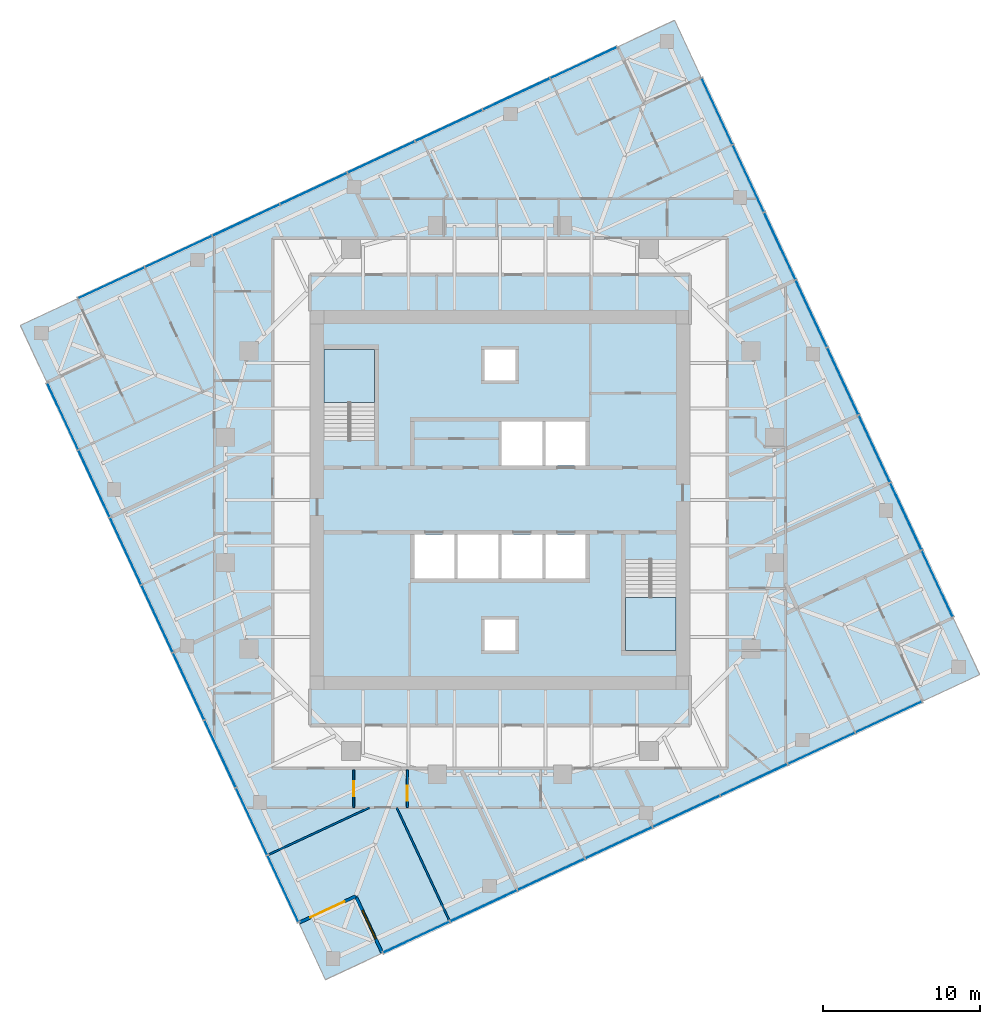
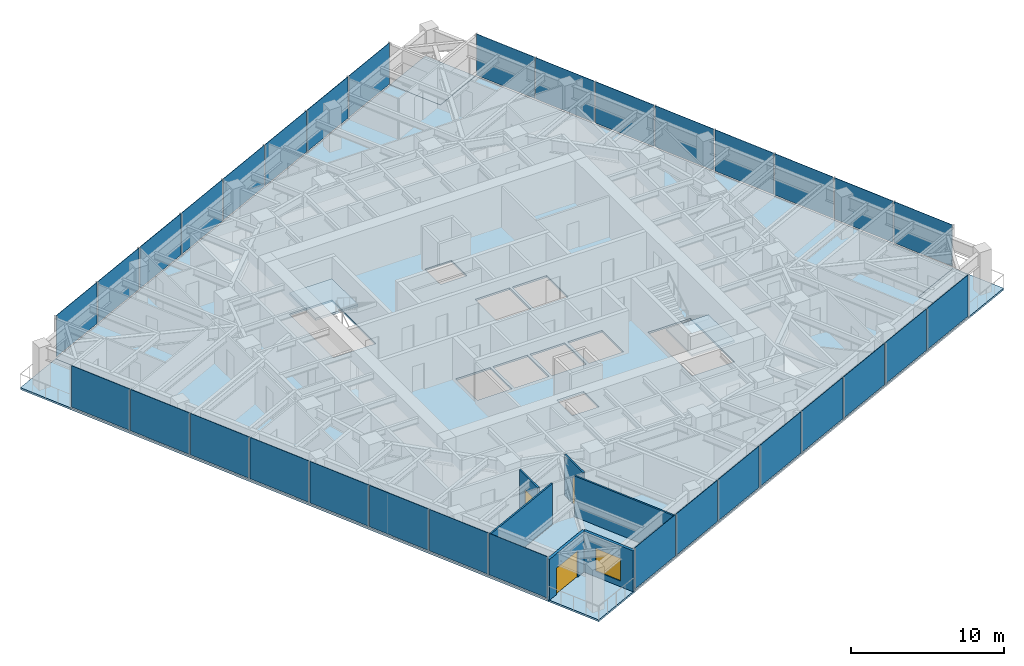
# One storey, part 6 of 13: 32 plates, 7 slabs, 6 walls, 3 doors, 1 window, 4 openings, 6 elements without a shape of their own.
"""IFC4 building model written with IfcOpenShell, lengths in metres."""

from ifc_helpers import new_model, si_unit, direction, frame, frame_2d, origin, origin_2d, place, context, subcontext, project, spatial, polyline, rectangle, outline, extrude, material, layer, layer_set, type_object, element, fill, aggregate, save


model = new_model("IFC4")

# Units and contexts
model_context = context("Model", 3, precision=1e-05, world=origin(), true_north=direction((0.0, 1.0)))
body_context = subcontext(model_context, "Body", "Model", "MODEL_VIEW")
ifc_project = project(units=[si_unit("LENGTHUNIT", "METRE"), si_unit("AREAUNIT", "SQUARE_METRE"), si_unit("VOLUMEUNIT", "CUBIC_METRE"), si_unit("PLANEANGLEUNIT", "RADIAN"), si_unit("MASSUNIT", "GRAM", prefix="KILO")], contexts=[model_context])

# Site, building, storey
site_placement = place(None, origin())
site = spatial("IfcSite", under=ifc_project, at=site_placement, CompositionType="ELEMENT")
building_placement = place(site_placement, origin())
building = spatial("IfcBuilding", under=site, at=building_placement, Name="Torsade Residences", CompositionType="ELEMENT")
storey_placement = place(building_placement, frame((0.0, 0.0, 196.39990234375)))
storey = spatial("IfcBuildingStorey", under=building, at=storey_placement, Name="L54", CompositionType="ELEMENT", Elevation=196.39990234375)

# Slab
ifc_material_1 = material(Name="Concrete 40 MPa", Category="concrete")
ifc_layer_1 = layer(ifc_material_1, 0.14990234375)
ifc_layer_set_1 = layer_set([ifc_layer_1], Name="Concrete 40 MPa")
slab_type_1 = type_object("IfcSlabType", Name="COMPOSITE FLOOR SLAB 150", PredefinedType="FLOOR", material=ifc_layer_set_1)
slab_1_placement = place(storey_placement, frame((0.0, 0.0, -0.14990234375)))
element("IfcSlab", 1, at=slab_1_placement, inside=storey, type_object=slab_type_1, Name="Floor slab L54", PredefinedType="FLOOR", context=body_context, shape_type="SweptSolid", body=[
    extrude(outline(polyline([(32.50048828125, 1.125244140625), (66.940185546875, 17.1845703125), (65.24951171875, 20.809814453125), (68.874755859375, 22.50048828125), (52.8154296875, 56.940185546875), (49.190185546875, 55.24951171875), (47.49951171875, 58.874755859375), (13.059814453125, 42.8154296875), (14.75048828125, 39.190185546875), (11.125244140625, 37.49951171875), (27.1845703125, 3.059814453125), (30.809814453125, 4.75048828125), (32.50048828125, 1.125244140625)]), holes=[polyline([(51.199951171875, 26.1201171875), (48.0, 26.1201171875), (48.0, 20.39990234375), (51.199951171875, 20.39990234375), (51.199951171875, 26.1201171875)]), polyline([(45.5, 27.800048828125), (42.89990234375, 27.800048828125), (42.89990234375, 25.0), (45.5, 25.0), (45.5, 27.800048828125)]), polyline([(45.5, 35.0), (42.89990234375, 35.0), (42.89990234375, 32.199951171875), (45.5, 32.199951171875), (45.5, 35.0)]), polyline([(42.699951171875, 25.0), (42.699951171875, 27.800048828125), (40.10009765625, 27.800048828125), (40.10009765625, 25.0), (42.699951171875, 25.0)]), polyline([(42.699951171875, 35.0), (40.10009765625, 35.0), (40.10009765625, 32.199951171875), (42.699951171875, 32.199951171875), (42.699951171875, 35.0)]), polyline([(41.0, 22.39990234375), (39.0, 22.39990234375), (39.0, 20.39990234375), (41.0, 20.39990234375), (41.0, 22.39990234375)]), polyline([(41.0, 37.60009765625), (41.0, 39.60009765625), (39.0, 39.60009765625), (39.0, 37.60009765625), (41.0, 37.60009765625)]), polyline([(39.89990234375, 25.0), (39.89990234375, 27.800048828125), (37.300048828125, 27.800048828125), (37.300048828125, 25.0), (39.89990234375, 25.0)]), polyline([(37.10009765625, 27.800048828125), (34.5, 27.800048828125), (34.5, 25.0), (37.10009765625, 25.0), (37.10009765625, 27.800048828125)]), polyline([(32.0, 33.8798828125), (32.0, 39.60009765625), (28.800048828125, 39.60009765625), (28.800048828125, 33.8798828125), (32.0, 33.8798828125)])]), origin(), (0.0, 0.0, 1.0), 0.14990234375),
])

# Curtain wall, plates
ifc_material_2 = material(Name="Aluminium and glass", Category="aluminium")
curtain_wall_type = type_object("IfcCurtainWallType", Name="FRITTED GLASS CURTAIN WALL MID ZONE", PredefinedType="NOTDEFINED", material=ifc_material_2)
curtain_wall_1_placement = place(storey_placement, origin())
curtain_wall_1 = element("IfcCurtainWall", 2, at=curtain_wall_1_placement, inside=storey, type_object=curtain_wall_type, Name="Curtain wall L54 face 1", PredefinedType="NOTDEFINED")
ifc_material_3 = material(Name="Laminated glass", Category="glass")
ifc_layer_2 = layer(ifc_material_3, 0.031982421875)
ifc_layer_set_2 = layer_set([ifc_layer_2], Name="Laminated glass")
plate_type_1 = type_object("IfcPlateType", Name="FRITTED GLASS PANEL", PredefinedType="CURTAIN_PANEL", material=ifc_layer_set_2)
plate_1_placement = place(storey_placement, frame((34.6708984375, 2.137451171875, 0.110107421875), z_axis=(0.0, 0.0, 1.0), x_axis=(0.906307786926, 0.422618261978, 0.0)))
plate_1 = element("IfcPlate", 3, at=plate_1_placement, type_object=plate_type_1, Name="Panel 1", PredefinedType="CURTAIN_PANEL", context=body_context, shape_type="SweptSolid", body=[
    extrude(rectangle(XDim=4.6298828125, YDim=0.031982421875, at=origin_2d()), origin(), (0.0, 0.0, 1.0), 3.2900390625),
])
plate_2_placement = place(storey_placement, frame((43.2626953125, 6.143798828125, 0.110107421875), z_axis=(0.0, 0.0, 1.0), x_axis=(0.906307786926, 0.422618261978, 0.0)))
plate_2 = element("IfcPlate", 4, at=plate_2_placement, type_object=plate_type_1, Name="Panel 3", PredefinedType="CURTAIN_PANEL", context=body_context, shape_type="SweptSolid", body=[
    extrude(rectangle(XDim=4.669921875, YDim=0.031982421875, at=origin_2d()), origin(), (0.0, 0.0, 1.0), 3.2900390625),
])
plate_3_placement = place(storey_placement, frame((47.567626953125, 8.151123046875, 0.110107421875), z_axis=(0.0, 0.0, 1.0), x_axis=(0.906307786926, 0.422618261978, 0.0)))
plate_3 = element("IfcPlate", 5, at=plate_3_placement, type_object=plate_type_1, Name="Panel 4", PredefinedType="CURTAIN_PANEL", context=body_context, shape_type="SweptSolid", body=[
    extrude(rectangle(XDim=4.669921875, YDim=0.031982421875, at=origin_2d()), origin(), (0.0, 0.0, 1.0), 3.2900390625),
])
plate_4_placement = place(storey_placement, frame((51.872802734375, 10.15869140625, 0.110107421875), z_axis=(0.0, 0.0, 1.0), x_axis=(0.906307786926, 0.422618261978, 0.0)))
plate_4 = element("IfcPlate", 6, at=plate_4_placement, type_object=plate_type_1, Name="Panel 5", PredefinedType="CURTAIN_PANEL", context=body_context, shape_type="SweptSolid", body=[
    extrude(rectangle(XDim=4.669921875, YDim=0.031982421875, at=origin_2d()), origin(), (0.0, 0.0, 1.0), 3.2900390625),
])
plate_5_placement = place(storey_placement, frame((60.482666015625, 14.173583984375, 0.110107421875), z_axis=(0.0, 0.0, 1.0), x_axis=(0.906307786926, 0.422618261978, 0.0)))
plate_5 = element("IfcPlate", 7, at=plate_5_placement, type_object=plate_type_1, Name="Panel 7", PredefinedType="CURTAIN_PANEL", context=body_context, shape_type="SweptSolid", body=[
    extrude(rectangle(XDim=4.669921875, YDim=0.031982421875, at=origin_2d()), origin(), (0.0, 0.0, 1.0), 3.2900390625),
])
plate_6_placement = place(storey_placement, frame((64.76953125, 16.172607421875, 0.110107421875), z_axis=(0.0, 0.0, 1.0), x_axis=(0.906307786926, 0.422618261978, 0.0)))
plate_6 = element("IfcPlate", 8, at=plate_6_placement, type_object=plate_type_1, Name="Panel 8", PredefinedType="CURTAIN_PANEL", context=body_context, shape_type="SweptSolid", body=[
    extrude(rectangle(XDim=4.6298828125, YDim=0.031982421875, at=origin_2d()), origin(), (0.0, 0.0, 1.0), 3.2900390625),
])

curtain_wall_2_placement = place(storey_placement, origin())
curtain_wall_2 = element("IfcCurtainWall", 9, at=curtain_wall_2_placement, inside=storey, type_object=curtain_wall_type, Name="Curtain wall L54 face 4", PredefinedType="NOTDEFINED")
plate_7_placement = place(storey_placement, frame((67.862548828125, 24.6708984375, 0.110107421875), z_axis=(0.0, 0.0, 1.0), x_axis=(-0.422618261978, 0.906307786926, 0.0)))
plate_7 = element("IfcPlate", 10, at=plate_7_placement, type_object=plate_type_1, Name="Panel 1", PredefinedType="CURTAIN_PANEL", context=body_context, shape_type="SweptSolid", body=[
    extrude(rectangle(XDim=4.6298828125, YDim=0.031982421875, at=origin_2d()), origin(), (0.0, 0.0, 1.0), 3.2900390625),
])
plate_8_placement = place(storey_placement, frame((63.856201171875, 33.2626953125, 0.110107421875), z_axis=(0.0, 0.0, 1.0), x_axis=(-0.422618261978, 0.906307786926, 0.0)))
plate_8 = element("IfcPlate", 11, at=plate_8_placement, type_object=plate_type_1, Name="Panel 3", PredefinedType="CURTAIN_PANEL", context=body_context, shape_type="SweptSolid", body=[
    extrude(rectangle(XDim=4.669921875, YDim=0.031982421875, at=origin_2d()), origin(), (0.0, 0.0, 1.0), 3.2900390625),
])
plate_9_placement = place(storey_placement, frame((61.848876953125, 37.567626953125, 0.110107421875), z_axis=(0.0, 0.0, 1.0), x_axis=(-0.422618261978, 0.906307786926, 0.0)))
plate_9 = element("IfcPlate", 12, at=plate_9_placement, type_object=plate_type_1, Name="Panel 4", PredefinedType="CURTAIN_PANEL", context=body_context, shape_type="SweptSolid", body=[
    extrude(rectangle(XDim=4.669921875, YDim=0.031982421875, at=origin_2d()), origin(), (0.0, 0.0, 1.0), 3.2900390625),
])
plate_10_placement = place(storey_placement, frame((59.84130859375, 41.872802734375, 0.110107421875), z_axis=(0.0, 0.0, 1.0), x_axis=(-0.422618261978, 0.906307786926, 0.0)))
plate_10 = element("IfcPlate", 13, at=plate_10_placement, type_object=plate_type_1, Name="Panel 5", PredefinedType="CURTAIN_PANEL", context=body_context, shape_type="SweptSolid", body=[
    extrude(rectangle(XDim=4.669921875, YDim=0.031982421875, at=origin_2d()), origin(), (0.0, 0.0, 1.0), 3.2900390625),
])
plate_11_placement = place(storey_placement, frame((55.826416015625, 50.482666015625, 0.110107421875), z_axis=(0.0, 0.0, 1.0), x_axis=(-0.422618261978, 0.906307786926, 0.0)))
plate_11 = element("IfcPlate", 14, at=plate_11_placement, type_object=plate_type_1, Name="Panel 7", PredefinedType="CURTAIN_PANEL", context=body_context, shape_type="SweptSolid", body=[
    extrude(rectangle(XDim=4.669921875, YDim=0.031982421875, at=origin_2d()), origin(), (0.0, 0.0, 1.0), 3.2900390625),
])
plate_12_placement = place(storey_placement, frame((53.827392578125, 54.76953125, 0.110107421875), z_axis=(0.0, 0.0, 1.0), x_axis=(-0.422618261978, 0.906307786926, 0.0)))
plate_12 = element("IfcPlate", 15, at=plate_12_placement, type_object=plate_type_1, Name="Panel 8", PredefinedType="CURTAIN_PANEL", context=body_context, shape_type="SweptSolid", body=[
    extrude(rectangle(XDim=4.6298828125, YDim=0.031982421875, at=origin_2d()), origin(), (0.0, 0.0, 1.0), 3.2900390625),
])

curtain_wall_3_placement = place(storey_placement, origin())
curtain_wall_3 = element("IfcCurtainWall", 16, at=curtain_wall_3_placement, inside=storey, type_object=curtain_wall_type, Name="Curtain wall L54 face 7", PredefinedType="NOTDEFINED")
plate_13_placement = place(storey_placement, frame((45.3291015625, 57.862548828125, 0.110107421875), z_axis=(0.0, 0.0, 1.0), x_axis=(-0.906307786926, -0.422618261978, 0.0)))
plate_13 = element("IfcPlate", 17, at=plate_13_placement, type_object=plate_type_1, Name="Panel 1", PredefinedType="CURTAIN_PANEL", context=body_context, shape_type="SweptSolid", body=[
    extrude(rectangle(XDim=4.6298828125, YDim=0.031982421875, at=origin_2d()), origin(), (0.0, 0.0, 1.0), 3.2900390625),
])
plate_14_placement = place(storey_placement, frame((36.7373046875, 53.856201171875, 0.110107421875), z_axis=(0.0, 0.0, 1.0), x_axis=(-0.906307786926, -0.422618261978, 0.0)))
plate_14 = element("IfcPlate", 18, at=plate_14_placement, type_object=plate_type_1, Name="Panel 3", PredefinedType="CURTAIN_PANEL", context=body_context, shape_type="SweptSolid", body=[
    extrude(rectangle(XDim=4.669921875, YDim=0.031982421875, at=origin_2d()), origin(), (0.0, 0.0, 1.0), 3.2900390625),
])
plate_15_placement = place(storey_placement, frame((32.432373046875, 51.848876953125, 0.110107421875), z_axis=(0.0, 0.0, 1.0), x_axis=(-0.906307786926, -0.422618261978, 0.0)))
plate_15 = element("IfcPlate", 19, at=plate_15_placement, type_object=plate_type_1, Name="Panel 4", PredefinedType="CURTAIN_PANEL", context=body_context, shape_type="SweptSolid", body=[
    extrude(rectangle(XDim=4.669921875, YDim=0.031982421875, at=origin_2d()), origin(), (0.0, 0.0, 1.0), 3.2900390625),
])
plate_16_placement = place(storey_placement, frame((28.127197265625, 49.84130859375, 0.110107421875), z_axis=(0.0, 0.0, 1.0), x_axis=(-0.906307786926, -0.422618261978, 0.0)))
plate_16 = element("IfcPlate", 20, at=plate_16_placement, type_object=plate_type_1, Name="Panel 5", PredefinedType="CURTAIN_PANEL", context=body_context, shape_type="SweptSolid", body=[
    extrude(rectangle(XDim=4.669921875, YDim=0.031982421875, at=origin_2d()), origin(), (0.0, 0.0, 1.0), 3.2900390625),
])
plate_17_placement = place(storey_placement, frame((19.517333984375, 45.826416015625, 0.110107421875), z_axis=(0.0, 0.0, 1.0), x_axis=(-0.906307786926, -0.422618261978, 0.0)))
plate_17 = element("IfcPlate", 21, at=plate_17_placement, type_object=plate_type_1, Name="Panel 7", PredefinedType="CURTAIN_PANEL", context=body_context, shape_type="SweptSolid", body=[
    extrude(rectangle(XDim=4.669921875, YDim=0.031982421875, at=origin_2d()), origin(), (0.0, 0.0, 1.0), 3.2900390625),
])
plate_18_placement = place(storey_placement, frame((15.23046875, 43.827392578125, 0.110107421875), z_axis=(0.0, 0.0, 1.0), x_axis=(-0.906307786926, -0.422618261978, 0.0)))
plate_18 = element("IfcPlate", 22, at=plate_18_placement, type_object=plate_type_1, Name="Panel 8", PredefinedType="CURTAIN_PANEL", context=body_context, shape_type="SweptSolid", body=[
    extrude(rectangle(XDim=4.6298828125, YDim=0.031982421875, at=origin_2d()), origin(), (0.0, 0.0, 1.0), 3.2900390625),
])

curtain_wall_4_placement = place(storey_placement, origin())
curtain_wall_4 = element("IfcCurtainWall", 23, at=curtain_wall_4_placement, inside=storey, type_object=curtain_wall_type, Name="Curtain wall L54 face 10", PredefinedType="NOTDEFINED")
plate_19_placement = place(storey_placement, frame((12.137451171875, 35.3291015625, 0.110107421875), z_axis=(0.0, 0.0, 1.0), x_axis=(0.422618261978, -0.906307786926, 0.0)))
plate_19 = element("IfcPlate", 24, at=plate_19_placement, type_object=plate_type_1, Name="Panel 1", PredefinedType="CURTAIN_PANEL", context=body_context, shape_type="SweptSolid", body=[
    extrude(rectangle(XDim=4.6298828125, YDim=0.031982421875, at=origin_2d()), origin(), (0.0, 0.0, 1.0), 3.2900390625),
])
plate_20_placement = place(storey_placement, frame((16.143798828125, 26.7373046875, 0.110107421875), z_axis=(0.0, 0.0, 1.0), x_axis=(0.422618261978, -0.906307786926, 0.0)))
plate_20 = element("IfcPlate", 25, at=plate_20_placement, type_object=plate_type_1, Name="Panel 3", PredefinedType="CURTAIN_PANEL", context=body_context, shape_type="SweptSolid", body=[
    extrude(rectangle(XDim=4.669921875, YDim=0.031982421875, at=origin_2d()), origin(), (0.0, 0.0, 1.0), 3.2900390625),
])
plate_21_placement = place(storey_placement, frame((18.151123046875, 22.432373046875, 0.110107421875), z_axis=(0.0, 0.0, 1.0), x_axis=(0.422618261978, -0.906307786926, 0.0)))
plate_21 = element("IfcPlate", 26, at=plate_21_placement, type_object=plate_type_1, Name="Panel 4", PredefinedType="CURTAIN_PANEL", context=body_context, shape_type="SweptSolid", body=[
    extrude(rectangle(XDim=4.669921875, YDim=0.031982421875, at=origin_2d()), origin(), (0.0, 0.0, 1.0), 3.2900390625),
])
plate_22_placement = place(storey_placement, frame((20.15869140625, 18.127197265625, 0.110107421875), z_axis=(0.0, 0.0, 1.0), x_axis=(0.422618261978, -0.906307786926, 0.0)))
plate_22 = element("IfcPlate", 27, at=plate_22_placement, type_object=plate_type_1, Name="Panel 5", PredefinedType="CURTAIN_PANEL", context=body_context, shape_type="SweptSolid", body=[
    extrude(rectangle(XDim=4.669921875, YDim=0.031982421875, at=origin_2d()), origin(), (0.0, 0.0, 1.0), 3.2900390625),
])
plate_23_placement = place(storey_placement, frame((24.173583984375, 9.517333984375, 0.110107421875), z_axis=(0.0, 0.0, 1.0), x_axis=(0.422618261978, -0.906307786926, 0.0)))
plate_23 = element("IfcPlate", 28, at=plate_23_placement, type_object=plate_type_1, Name="Panel 7", PredefinedType="CURTAIN_PANEL", context=body_context, shape_type="SweptSolid", body=[
    extrude(rectangle(XDim=4.669921875, YDim=0.031982421875, at=origin_2d()), origin(), (0.0, 0.0, 1.0), 3.2900390625),
])
plate_24_placement = place(storey_placement, frame((26.172607421875, 5.23046875, 0.110107421875), z_axis=(0.0, 0.0, 1.0), x_axis=(0.422618261978, -0.906307786926, 0.0)))
plate_24 = element("IfcPlate", 29, at=plate_24_placement, type_object=plate_type_1, Name="Panel 8", PredefinedType="CURTAIN_PANEL", context=body_context, shape_type="SweptSolid", body=[
    extrude(rectangle(XDim=4.6298828125, YDim=0.031982421875, at=origin_2d()), origin(), (0.0, 0.0, 1.0), 3.2900390625),
])

# Plate
ifc_material_4 = material(Name="Laminated glass", Category="glass")
ifc_layer_3 = layer(ifc_material_4, 0.0400390625)
ifc_layer_set_3 = layer_set([ifc_layer_3], Name="Laminated glass")
plate_type_2 = type_object("IfcPlateType", Name="OPERABLE VENT PANEL", PredefinedType="CURTAIN_PANEL", material=ifc_layer_set_3)
plate_25_placement = place(storey_placement, frame((38.957763671875, 4.13623046875, 0.110107421875), z_axis=(0.0, 0.0, 1.0), x_axis=(0.906307786926, 0.422618261978, 0.0)))
plate_25 = element("IfcPlate", 30, at=plate_25_placement, type_object=plate_type_2, Name="Panel 2", PredefinedType="CURTAIN_PANEL", context=body_context, shape_type="SweptSolid", body=[
    extrude(rectangle(XDim=4.669921875, YDim=0.0400390625, at=origin_2d()), origin(), (0.0, 0.0, 1.0), 3.2900390625),
])

plate_26_placement = place(storey_placement, frame((56.177734375, 12.166015625, 0.110107421875), z_axis=(0.0, 0.0, 1.0), x_axis=(0.906307786926, 0.422618261978, 0.0)))
plate_26 = element("IfcPlate", 31, at=plate_26_placement, type_object=plate_type_2, Name="Panel 6", PredefinedType="CURTAIN_PANEL", context=body_context, shape_type="SweptSolid", body=[
    extrude(rectangle(XDim=4.669921875, YDim=0.0400390625, at=origin_2d()), origin(), (0.0, 0.0, 1.0), 3.2900390625),
])

aggregate(curtain_wall_1, [plate_1, plate_25, plate_2, plate_3, plate_4, plate_26, plate_5, plate_6])

plate_27_placement = place(storey_placement, frame((65.86376953125, 28.957763671875, 0.110107421875), z_axis=(0.0, 0.0, 1.0), x_axis=(-0.422618261978, 0.906307786926, 0.0)))
plate_27 = element("IfcPlate", 32, at=plate_27_placement, type_object=plate_type_2, Name="Panel 2", PredefinedType="CURTAIN_PANEL", context=body_context, shape_type="SweptSolid", body=[
    extrude(rectangle(XDim=4.669921875, YDim=0.0400390625, at=origin_2d()), origin(), (0.0, 0.0, 1.0), 3.2900390625),
])

plate_28_placement = place(storey_placement, frame((57.833984375, 46.177734375, 0.110107421875), z_axis=(0.0, 0.0, 1.0), x_axis=(-0.422618261978, 0.906307786926, 0.0)))
plate_28 = element("IfcPlate", 33, at=plate_28_placement, type_object=plate_type_2, Name="Panel 6", PredefinedType="CURTAIN_PANEL", context=body_context, shape_type="SweptSolid", body=[
    extrude(rectangle(XDim=4.669921875, YDim=0.0400390625, at=origin_2d()), origin(), (0.0, 0.0, 1.0), 3.2900390625),
])

aggregate(curtain_wall_2, [plate_7, plate_27, plate_8, plate_9, plate_10, plate_28, plate_11, plate_12])

plate_29_placement = place(storey_placement, frame((41.042236328125, 55.86376953125, 0.110107421875), z_axis=(0.0, 0.0, 1.0), x_axis=(-0.906307786926, -0.422618261978, 0.0)))
plate_29 = element("IfcPlate", 34, at=plate_29_placement, type_object=plate_type_2, Name="Panel 2", PredefinedType="CURTAIN_PANEL", context=body_context, shape_type="SweptSolid", body=[
    extrude(rectangle(XDim=4.669921875, YDim=0.0400390625, at=origin_2d()), origin(), (0.0, 0.0, 1.0), 3.2900390625),
])

plate_30_placement = place(storey_placement, frame((23.822265625, 47.833984375, 0.110107421875), z_axis=(0.0, 0.0, 1.0), x_axis=(-0.906307786926, -0.422618261978, 0.0)))
plate_30 = element("IfcPlate", 35, at=plate_30_placement, type_object=plate_type_2, Name="Panel 6", PredefinedType="CURTAIN_PANEL", context=body_context, shape_type="SweptSolid", body=[
    extrude(rectangle(XDim=4.669921875, YDim=0.0400390625, at=origin_2d()), origin(), (0.0, 0.0, 1.0), 3.2900390625),
])

aggregate(curtain_wall_3, [plate_13, plate_29, plate_14, plate_15, plate_16, plate_30, plate_17, plate_18])

plate_31_placement = place(storey_placement, frame((14.13623046875, 31.042236328125, 0.110107421875), z_axis=(0.0, 0.0, 1.0), x_axis=(0.422618261978, -0.906307786926, 0.0)))
plate_31 = element("IfcPlate", 36, at=plate_31_placement, type_object=plate_type_2, Name="Panel 2", PredefinedType="CURTAIN_PANEL", context=body_context, shape_type="SweptSolid", body=[
    extrude(rectangle(XDim=4.669921875, YDim=0.0400390625, at=origin_2d()), origin(), (0.0, 0.0, 1.0), 3.2900390625),
])

plate_32_placement = place(storey_placement, frame((22.166015625, 13.822265625, 0.110107421875), z_axis=(0.0, 0.0, 1.0), x_axis=(0.422618261978, -0.906307786926, 0.0)))
plate_32 = element("IfcPlate", 37, at=plate_32_placement, type_object=plate_type_2, Name="Panel 6", PredefinedType="CURTAIN_PANEL", context=body_context, shape_type="SweptSolid", body=[
    extrude(rectangle(XDim=4.669921875, YDim=0.0400390625, at=origin_2d()), origin(), (0.0, 0.0, 1.0), 3.2900390625),
])

aggregate(curtain_wall_4, [plate_19, plate_31, plate_20, plate_21, plate_22, plate_32, plate_23, plate_24])

# Stair, slab
ifc_material_5 = material(Name="Precast concrete 40 MPa", Category="concrete")
stair_type = type_object("IfcStairType", Name="HALF-TURN FIRE STAIR 1500x3400", PredefinedType="HALF_TURN_STAIR", material=ifc_material_5)
stair_1_placement = place(storey_placement, origin())
stair_1 = element("IfcStair", 38, at=stair_1_placement, inside=storey, type_object=stair_type, Name="Stair ST1 L54", PredefinedType="HALF_TURN_STAIR")
ifc_material_6 = material(Name="Precast concrete 40 MPa", Category="concrete")
ifc_layer_4 = layer(ifc_material_6, 0.179931640625)
ifc_layer_set_4 = layer_set([ifc_layer_4], Name="Precast concrete 40 MPa")
slab_type_2 = type_object("IfcSlabType", Name="PRECAST STAIR LANDING 180", PredefinedType="LANDING", material=ifc_layer_set_4)
slab_2_placement = place(storey_placement, frame((0.0, 0.0, 1.52001953125)))
slab_2 = element("IfcSlab", 39, at=slab_2_placement, type_object=slab_type_2, Name="ST1 landing 1", PredefinedType="LANDING", context=body_context, shape_type="SweptSolid", body=[
    extrude(outline(polyline([(28.800048828125, 36.2099609375), (32.0, 36.2099609375), (32.0, 39.60009765625), (28.800048828125, 39.60009765625), (28.800048828125, 36.2099609375)])), origin(), (0.0, 0.0, 1.0), 0.18017578125),
])
aggregate(stair_1, [slab_2])

stair_2_placement = place(storey_placement, origin())
stair_2 = element("IfcStair", 40, at=stair_2_placement, inside=storey, type_object=stair_type, Name="Stair ST2 L54", PredefinedType="HALF_TURN_STAIR")
slab_3_placement = place(storey_placement, frame((0.0, 0.0, 1.52001953125)))
slab_3 = element("IfcSlab", 41, at=slab_3_placement, type_object=slab_type_2, Name="ST2 landing 1", PredefinedType="LANDING", context=body_context, shape_type="SweptSolid", body=[
    extrude(outline(polyline([(48.0, 20.39990234375), (51.199951171875, 20.39990234375), (51.199951171875, 23.7900390625), (48.0, 23.7900390625), (48.0, 20.39990234375)])), origin(), (0.0, 0.0, 1.0), 0.18017578125),
])
aggregate(stair_2, [slab_3])

# Slabs
ifc_material_7 = material(Name="Concrete 40 MPa", Category="concrete")
ifc_layer_5 = layer(ifc_material_7, 0.14990234375)
ifc_layer_set_5 = layer_set([ifc_layer_5], Name="Concrete 40 MPa")
slab_type_3 = type_object("IfcSlabType", Name="TERRACE SLAB 150", PredefinedType="FLOOR", material=ifc_layer_set_5)
slab_4_placement = place(storey_placement, frame((0.0, 0.0, -0.14990234375)))
element("IfcSlab", 42, at=slab_4_placement, inside=storey, type_object=slab_type_3, Name="Corner terrace slab SE L54", PredefinedType="FLOOR", context=body_context, shape_type="SweptSolid", body=[
    extrude(outline(polyline([(66.940185546875, 17.1845703125), (70.565185546875, 18.875244140625), (68.874755859375, 22.50048828125), (65.24951171875, 20.809814453125), (66.940185546875, 17.1845703125)])), origin(), (0.0, 0.0, 1.0), 0.14990234375),
])
slab_5_placement = place(storey_placement, frame((0.0, 0.0, -0.14990234375)))
element("IfcSlab", 43, at=slab_5_placement, inside=storey, type_object=slab_type_3, Name="Corner terrace slab NE L54", PredefinedType="FLOOR", context=body_context, shape_type="SweptSolid", body=[
    extrude(outline(polyline([(49.190185546875, 55.24951171875), (52.8154296875, 56.940185546875), (51.124755859375, 60.565185546875), (47.49951171875, 58.874755859375), (49.190185546875, 55.24951171875)])), origin(), (0.0, 0.0, 1.0), 0.14990234375),
])
slab_6_placement = place(storey_placement, frame((0.0, 0.0, -0.14990234375)))
element("IfcSlab", 44, at=slab_6_placement, inside=storey, type_object=slab_type_3, Name="Corner terrace slab NW L54", PredefinedType="FLOOR", context=body_context, shape_type="SweptSolid", body=[
    extrude(outline(polyline([(11.125244140625, 37.49951171875), (14.75048828125, 39.190185546875), (13.059814453125, 42.8154296875), (9.434814453125, 41.124755859375), (11.125244140625, 37.49951171875)])), origin(), (0.0, 0.0, 1.0), 0.14990234375),
])
slab_7_placement = place(storey_placement, frame((0.0, 0.0, -0.14990234375)))
element("IfcSlab", 45, at=slab_7_placement, inside=storey, type_object=slab_type_3, Name="Corner terrace slab SW L54", PredefinedType="FLOOR", context=body_context, shape_type="SweptSolid", body=[
    extrude(outline(polyline([(28.875244140625, -0.565185546875), (32.50048828125, 1.125244140625), (30.809814453125, 4.75048828125), (27.1845703125, 3.059814453125), (28.875244140625, -0.565185546875)])), origin(), (0.0, 0.0, 1.0), 0.14990234375),
])

# Wall, opening, door
ifc_material_8 = material(Name="Plasterboard on steel stud", Category="steel")
ifc_layer_6 = layer(ifc_material_8, 0.1201171875)
ifc_layer_set_6 = layer_set([ifc_layer_6], Name="Plasterboard on steel stud")
wall_type_1 = type_object("IfcWallType", Name="PARTITION 120", PredefinedType="PARTITIONING", material=ifc_layer_set_6)
wall_1_placement = place(storey_placement, frame((30.677490234375, 12.800048828125, 0.0), z_axis=(0.0, 0.0, 1.0), x_axis=(0.0, -1.0, 0.0)))
wall_1 = element("IfcWall", 46, at=wall_1_placement, inside=storey, type_object=wall_type_1, Name="Partition L54", PredefinedType="PARTITIONING", context=body_context, shape_type="SweptSolid", body=[
    extrude(rectangle(XDim=2.400146484375, YDim=0.1201171875, at=frame_2d((1.2001953125, 0.0))), origin(), (0.0, 0.0, 1.0), 3.25),
])
opening_1_placement = place(wall_1_placement, frame((0.719970703125, 0.0, 0.0)))
opening_1 = element("IfcOpeningElement", 47, at=opening_1_placement, cuts=wall_1, Name="Opening D05", PredefinedType="OPENING", context=body_context, shape_type="SweptSolid", body=[
    extrude(rectangle(XDim=0.9599609375, YDim=2.10009765625, at=frame_2d((0.47998046875, 1.050048828125))), frame((0.0, 0.070068359375, 0.0), z_axis=(0.0, -1.0, 0.0), x_axis=(1.0, 0.0, 0.0)), (0.0, 0.0, 1.0), 0.14013671875),
])
ifc_material_9 = material(Name="Hollow-core timber door in a steel cavity frame", Category="steel")
door_type_1 = type_object("IfcDoorType", Name="BATHROOM CAVITY SLIDING DOOR 960", OperationType="SLIDING_TO_LEFT", PredefinedType="DOOR", material=ifc_material_9)
door_1_placement = place(opening_1_placement, origin())
door_1 = element("IfcDoor", 48, at=door_1_placement, inside=storey, type_object=door_type_1, Name="Door Kitchen and dining to Laundry", OperationType="SLIDING_TO_LEFT", OverallHeight=2.10009765625, OverallWidth=0.9599609375, PredefinedType="DOOR", context=body_context, shape_type="SweptSolid", body=[
    extrude(rectangle(XDim=0.9599609375, YDim=2.10009765625, at=frame_2d((0.47998046875, 1.050048828125))), frame((0.0, 0.02490234375, 0.0), z_axis=(0.0, -1.0, 0.0), x_axis=(1.0, 0.0, 0.0)), (0.0, 0.0, 1.0), 0.050048828125),
])
fill(opening_1, door_1)

wall_2_placement = place(storey_placement, frame((34.095703125, 10.39990234375, 0.0), z_axis=(0.0, 0.0, 1.0), x_axis=(0.0, 1.0, 0.0)))
wall_2 = element("IfcWall", 49, at=wall_2_placement, inside=storey, type_object=wall_type_1, Name="Partition L54", PredefinedType="PARTITIONING", context=body_context, shape_type="SweptSolid", body=[
    extrude(rectangle(XDim=2.400146484375, YDim=0.1201171875, at=frame_2d((1.2001953125, 0.0))), origin(), (0.0, 0.0, 1.0), 3.25),
])
opening_2_placement = place(wall_2_placement, frame((0.419921875, 0.0, 0.0)))
opening_2 = element("IfcOpeningElement", 50, at=opening_2_placement, cuts=wall_2, Name="Opening D05", PredefinedType="OPENING", context=body_context, shape_type="SweptSolid", body=[
    extrude(rectangle(XDim=0.9599609375, YDim=2.10009765625, at=frame_2d((0.47998046875, 1.050048828125))), frame((0.0, 0.070068359375, 0.0), z_axis=(0.0, -1.0, 0.0), x_axis=(1.0, 0.0, 0.0)), (0.0, 0.0, 1.0), 0.14013671875),
])
door_2_placement = place(opening_2_placement, origin())
door_2 = element("IfcDoor", 51, at=door_2_placement, inside=storey, type_object=door_type_1, Name="Door Laundry to Ensuite", OperationType="SLIDING_TO_LEFT", OverallHeight=2.10009765625, OverallWidth=0.9599609375, PredefinedType="DOOR", context=body_context, shape_type="SweptSolid", body=[
    extrude(rectangle(XDim=0.9599609375, YDim=2.10009765625, at=frame_2d((0.47998046875, 1.050048828125))), frame((0.0, 0.02490234375, 0.0), z_axis=(0.0, -1.0, 0.0), x_axis=(1.0, 0.0, 0.0)), (0.0, 0.0, 1.0), 0.050048828125),
])
fill(opening_2, door_2)

# Walls
wall_3_placement = place(storey_placement, frame((33.41650390625, 10.39990234375, 0.0), z_axis=(0.0, 0.0, 1.0), x_axis=(0.422640876946, -0.90629724105, 0.0)))
element("IfcWall", 52, at=wall_3_placement, inside=storey, type_object=wall_type_1, Name="Partition L54", PredefinedType="PARTITIONING", context=body_context, shape_type="SweptSolid", body=[
    extrude(rectangle(XDim=7.978515625, YDim=0.1201171875, at=frame_2d((3.9892578125, 0.0))), origin(), (0.0, 0.0, 1.0), 3.25),
])
wall_4_placement = place(storey_placement, frame((25.21337890625, 7.3818359375, 0.0), z_axis=(0.0, 0.0, 1.0), x_axis=(0.906317589158, 0.422597240388, 0.0)))
element("IfcWall", 53, at=wall_4_placement, inside=storey, type_object=wall_type_1, Name="Partition L54", PredefinedType="PARTITIONING", context=body_context, shape_type="SweptSolid", body=[
    extrude(rectangle(XDim=7.1416015625, YDim=0.1201171875, at=frame_2d((3.57080078125, 0.0))), origin(), (0.0, 0.0, 1.0), 3.25),
])

# Wall, opening, door
ifc_material_10 = material(Name="Stone-faced precast concrete 40 MPa panel", Category="masonry")
ifc_layer_7 = layer(ifc_material_10, 0.199951171875)
ifc_layer_set_7 = layer_set([ifc_layer_7], Name="Stone-faced precast concrete 40 MPa panel")
wall_type_2 = type_object("IfcWallType", Name="TERRACE WALL 200", PredefinedType="SOLIDWALL", material=ifc_layer_set_7)
wall_5_placement = place(storey_placement, frame((27.1845703125, 3.059814453125, 0.0), z_axis=(0.0, 0.0, 1.0), x_axis=(0.906289140828, 0.422658246362, 0.0)))
wall_5 = element("IfcWall", 54, at=wall_5_placement, inside=storey, type_object=wall_type_2, Name="Terrace wall L54 11", PredefinedType="SOLIDWALL", context=body_context, shape_type="SweptSolid", body=[
    extrude(rectangle(XDim=4.0, YDim=0.199951171875, at=frame_2d((2.0, 0.0))), origin(), (0.0, 0.0, 1.0), 3.25),
])
opening_3_placement = place(wall_5_placement, frame((0.800048828125, 0.0, 0.0)))
opening_3 = element("IfcOpeningElement", 55, at=opening_3_placement, cuts=wall_5, Name="Opening D10A", PredefinedType="OPENING", context=body_context, shape_type="SweptSolid", body=[
    extrude(rectangle(XDim=2.39990234375, YDim=2.10009765625, at=frame_2d((1.199951171875, 1.050048828125))), frame((0.0, 0.10986328125, 0.0), z_axis=(0.0, -1.0, 0.0), x_axis=(1.0, 0.0, 0.0)), (0.0, 0.0, 1.0), 0.219970703125),
])
ifc_material_11 = material(Name="Aluminium-framed glass door", Category="aluminium")
door_type_2 = type_object("IfcDoorType", Name="TERRACE SLIDING DOOR 2400x2100", OperationType="SLIDING_TO_LEFT", PredefinedType="DOOR", material=ifc_material_11)
door_3_placement = place(opening_3_placement, origin())
door_3 = element("IfcDoor", 56, at=door_3_placement, inside=storey, type_object=door_type_2, Name="Terrace door L54 11", OperationType="SLIDING_TO_LEFT", OverallHeight=2.10009765625, OverallWidth=2.39990234375, PredefinedType="DOOR", context=body_context, shape_type="SweptSolid", body=[
    extrude(rectangle(XDim=2.39990234375, YDim=2.10009765625, at=frame_2d((1.199951171875, 1.050048828125))), frame((0.0, 0.02490234375, 0.0), z_axis=(0.0, -1.0, 0.0), x_axis=(1.0, 0.0, 0.0)), (0.0, 0.0, 1.0), 0.050048828125),
])
fill(opening_3, door_3)

# Wall, opening, window
wall_6_placement = place(storey_placement, frame((30.809814453125, 4.75048828125, 0.0), z_axis=(0.0, 0.0, 1.0), x_axis=(0.422658246362, -0.906289140828, 0.0)))
wall_6 = element("IfcWall", 57, at=wall_6_placement, inside=storey, type_object=wall_type_2, Name="Terrace wall L54 12", PredefinedType="SOLIDWALL", context=body_context, shape_type="SweptSolid", body=[
    extrude(rectangle(XDim=4.0, YDim=0.199951171875, at=frame_2d((2.0, 0.0))), origin(), (0.0, 0.0, 1.0), 3.25),
])
opening_4_placement = place(wall_6_placement, frame((1.0, 0.0, 0.449951171875)))
opening_4 = element("IfcOpeningElement", 58, at=opening_4_placement, cuts=wall_6, Name="Opening W1B", PredefinedType="OPENING", context=body_context, shape_type="SweptSolid", body=[
    extrude(rectangle(XDim=2.0, YDim=1.800048828125, at=frame_2d((1.0, 0.89990234375))), frame((0.0, 0.10986328125, 0.0), z_axis=(0.0, -1.0, 0.0), x_axis=(1.0, 0.0, 0.0)), (0.0, 0.0, 1.0), 0.219970703125),
])
ifc_material_12 = material(Name="Aluminium-framed glass window", Category="aluminium")
window_type = type_object("IfcWindowType", Name="TERRACE WINDOW 2000x1800", PartitioningType="SINGLE_PANEL", PredefinedType="WINDOW", material=ifc_material_12)
window_placement = place(opening_4_placement, origin())
window = element("IfcWindow", 59, at=window_placement, inside=storey, type_object=window_type, Name="Terrace window L54 12", OverallHeight=1.800048828125, OverallWidth=2.0, PartitioningType="SINGLE_PANEL", PredefinedType="WINDOW", context=body_context, shape_type="SweptSolid", body=[
    extrude(rectangle(XDim=2.0, YDim=1.800048828125, at=frame_2d((1.0, 0.89990234375))), frame((0.0, 0.030029296875, 0.0), z_axis=(0.0, -1.0, 0.0), x_axis=(1.0, 0.0, 0.0)), (0.0, 0.0, 1.0), 0.06005859375),
])
fill(opening_4, window)

save(model, "model.ifc")
